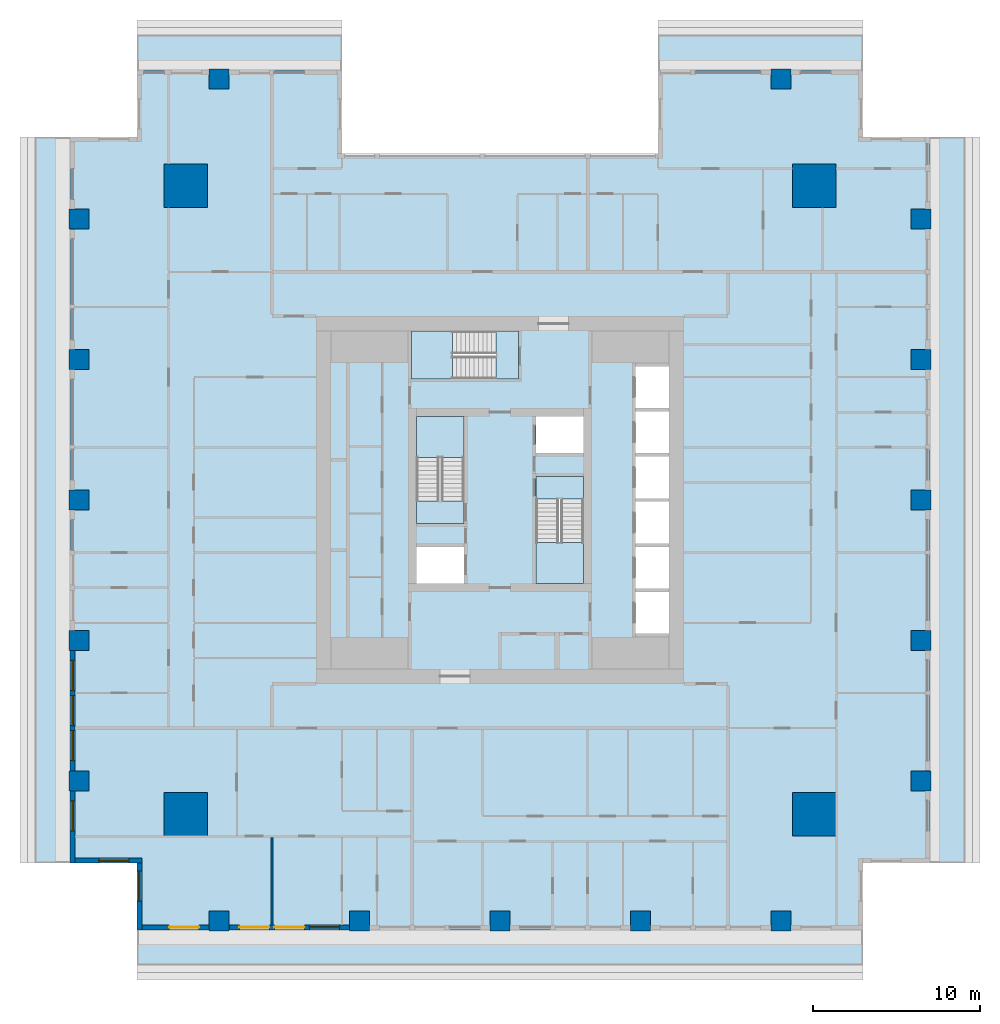
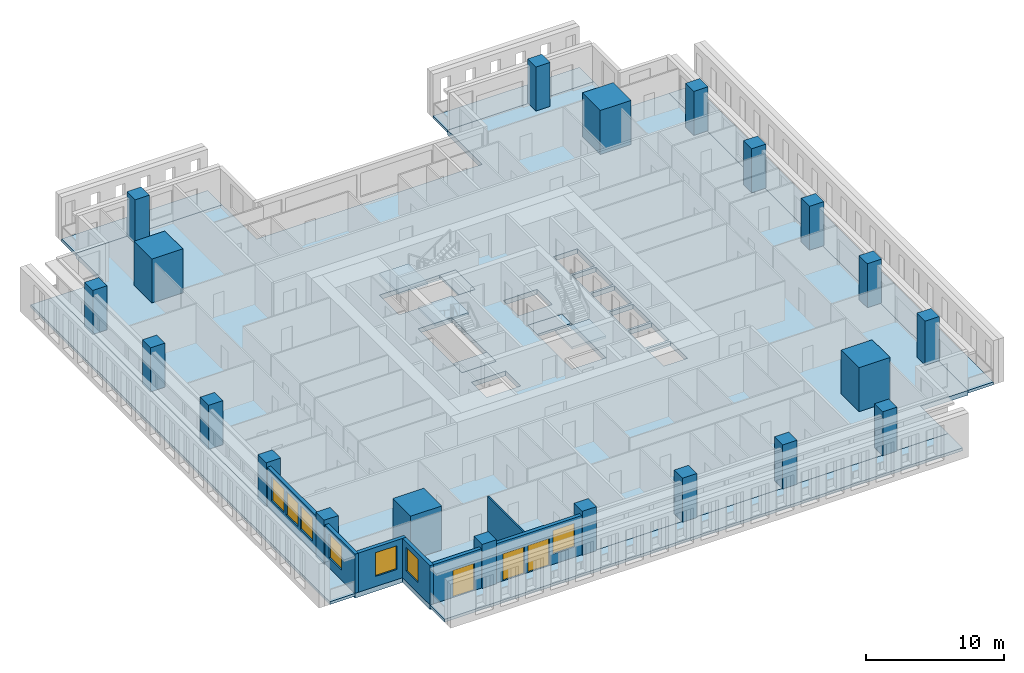
# One storey, part 1 of 15: 21 columns, 12 slabs, 7 walls, 7 windows, 3 doors, 10 openings, 3 elements without a shape of their own.
"""IFC4 building model written with IfcOpenShell, lengths in metres."""

from ifc_helpers import new_model, si_unit, direction, frame, frame_2d, origin, origin_2d, place, context, subcontext, project, spatial, polyline, rectangle, outline, extrude, material, layer, layer_set, material_profile, profile_set, type_object, element, fill, aggregate, save


model = new_model("IFC4")

# Units and contexts
model_context = context("Model", 3, precision=1e-05, world=origin(), true_north=direction((0.0, 1.0)))
body_context = subcontext(model_context, "Body", "Model", "MODEL_VIEW")
ifc_project = project(units=[si_unit("LENGTHUNIT", "METRE"), si_unit("AREAUNIT", "SQUARE_METRE"), si_unit("VOLUMEUNIT", "CUBIC_METRE"), si_unit("PLANEANGLEUNIT", "RADIAN"), si_unit("MASSUNIT", "GRAM", prefix="KILO")], contexts=[model_context])

# Site, building, storey
site_placement = place(None, origin())
site = spatial("IfcSite", under=ifc_project, at=site_placement, CompositionType="ELEMENT")
building_placement = place(site_placement, origin())
building = spatial("IfcBuilding", under=site, at=building_placement, Name="Khepri Terraces", CompositionType="ELEMENT")
storey_placement = place(building_placement, frame((0.0, 0.0, 161.10009765625)))
storey = spatial("IfcBuildingStorey", under=building, at=storey_placement, Name="L38", CompositionType="ELEMENT", Elevation=161.10009765625)

# Columns
ifc_material_1 = material(Name="Concrete C60/75", Category="concrete")
ifc_material_profile_1 = material_profile(ifc_material_1, rectangle(XDim=2.60009765625, YDim=2.60009765625, at=origin_2d()), Name="Concrete C60/75", Category="concrete")
ifc_profile_set_1 = profile_set([ifc_material_profile_1], Name="Concrete C60/75")
column_type_1 = type_object("IfcColumnType", Name="Mega column RC 2600x2600 C60/75", PredefinedType="COLUMN", material=ifc_profile_set_1)
for number, where, z_axis, x_axis, name in (
    (1, (18.800048828125, 18.800048828125, 0.0), (0.0, 0.0, 1.0), (1.0, 0.0, 0.0), "Mega column MEN L38"),
    (2, (18.800048828125, -18.800048828125, 0.0), (0.0, 0.0, 1.0), (1.0, 0.0, 0.0), "Mega column MES L38"),
    (3, (-18.800048828125, 18.800048828125, 0.0), (0.0, 0.0, 1.0), (1.0, 0.0, 0.0), "Mega column MWN L38"),
    (4, (-18.800048828125, -18.800048828125, 0.0), (0.0, 0.0, 1.0), (1.0, 0.0, 0.0), "Mega column MWS L38"),
):
    element("IfcColumn", number, at=place(storey_placement, frame(where, z_axis=z_axis, x_axis=x_axis)), inside=storey, type_object=column_type_1, Name=name, PredefinedType="COLUMN", context=body_context, shape_type="SweptSolid", body=[
        extrude(rectangle(XDim=2.60009765625, YDim=2.60009765625, at=origin_2d()), origin(), (0.0, 0.0, 1.0), 3.89990234375),
    ])
ifc_material_profile_2 = material_profile(ifc_material_1, rectangle(XDim=1.199951171875, YDim=1.199951171875, at=origin_2d()), Name="Concrete C60/75", Category="concrete")
ifc_profile_set_2 = profile_set([ifc_material_profile_2], Name="Concrete C60/75")
column_type_2 = type_object("IfcColumnType", Name="Tower column RC 1200x1200 C60/75", PredefinedType="COLUMN", material=ifc_profile_set_2)
for number, where, z_axis, x_axis, name in (
    (5, (25.199951171875, 0.0, 0.0), (0.0, 0.0, 1.0), (1.0, 0.0, 0.0), "Perimeter column PE+000a L38"),
    (6, (25.199951171875, 8.39990234375, 0.0), (0.0, 0.0, 1.0), (1.0, 0.0, 0.0), "Perimeter column PE+084a L38"),
    (7, (25.199951171875, 16.800048828125, 0.0), (0.0, 0.0, 1.0), (1.0, 0.0, 0.0), "Perimeter column PE+168a L38"),
    (8, (25.199951171875, -8.39990234375, 0.0), (0.0, 0.0, 1.0), (1.0, 0.0, 0.0), "Perimeter column PE-084a L38"),
    (9, (25.199951171875, -16.800048828125, 0.0), (0.0, 0.0, 1.0), (1.0, 0.0, 0.0), "Perimeter column PE-168a L38"),
    (10, (-16.800048828125, 25.199951171875, 0.0), (0.0, 0.0, 1.0), (1.0, 0.0, 0.0), "Perimeter column PN+168a L38"),
    (11, (16.800048828125, 25.199951171875, 0.0), (0.0, 0.0, 1.0), (1.0, 0.0, 0.0), "Perimeter column PN-168a L38"),
    (12, (0.0, -25.199951171875, 0.0), (0.0, 0.0, 1.0), (1.0, 0.0, 0.0), "Perimeter column PS+000b L38"),
    (13, (8.39990234375, -25.199951171875, 0.0), (0.0, 0.0, 1.0), (1.0, 0.0, 0.0), "Perimeter column PS+084b L38"),
    (14, (16.800048828125, -25.199951171875, 0.0), (0.0, 0.0, 1.0), (1.0, 0.0, 0.0), "Perimeter column PS+168a L38"),
    (15, (-8.39990234375, -25.199951171875, 0.0), (0.0, 0.0, 1.0), (1.0, 0.0, 0.0), "Perimeter column PS-084b L38"),
    (16, (-16.800048828125, -25.199951171875, 0.0), (0.0, 0.0, 1.0), (1.0, 0.0, 0.0), "Perimeter column PS-168a L38"),
    (17, (-25.199951171875, 0.0, 0.0), (0.0, 0.0, 1.0), (1.0, 0.0, 0.0), "Perimeter column PW+000b L38"),
    (18, (-25.199951171875, -8.39990234375, 0.0), (0.0, 0.0, 1.0), (1.0, 0.0, 0.0), "Perimeter column PW+084b L38"),
    (19, (-25.199951171875, -16.800048828125, 0.0), (0.0, 0.0, 1.0), (1.0, 0.0, 0.0), "Perimeter column PW+168a L38"),
    (20, (-25.199951171875, 8.39990234375, 0.0), (0.0, 0.0, 1.0), (1.0, 0.0, 0.0), "Perimeter column PW-084b L38"),
    (21, (-25.199951171875, 16.800048828125, 0.0), (0.0, 0.0, 1.0), (1.0, 0.0, 0.0), "Perimeter column PW-168a L38"),
):
    element("IfcColumn", number, at=place(storey_placement, frame(where, z_axis=z_axis, x_axis=x_axis)), inside=storey, type_object=column_type_2, Name=name, PredefinedType="COLUMN", context=body_context, shape_type="SweptSolid", body=[
        extrude(rectangle(XDim=1.199951171875, YDim=1.199951171875, at=origin_2d()), origin(), (0.0, 0.0, 1.0), 3.89990234375),
    ])

# Slabs
ifc_material_2 = material(Name="Concrete C40/50", Category="concrete")
ifc_layer_1 = layer(ifc_material_2, 0.419921875, Name="Concrete C40/50", Category="concrete")
ifc_layer_set_1 = layer_set([ifc_layer_1], Name="Concrete C40/50")
slab_type_1 = type_object("IfcSlabType", Name="Flat plate 420", PredefinedType="FLOOR", material=ifc_layer_set_1)
slab_1_placement = place(storey_placement, frame((0.0, 0.0, -0.420166015625)))
element("IfcSlab", 22, at=slab_1_placement, inside=storey, type_object=slab_type_1, Name="Floor slab F01 L38", PredefinedType="FLOOR", context=body_context, shape_type="SweptSolid", body=[
    extrude(outline(polyline([(9.449951171875, 25.719970703125), (21.719970703125, 25.719970703125), (21.719970703125, 21.719970703125), (25.719970703125, 21.719970703125), (25.719970703125, -21.719970703125), (21.719970703125, -21.719970703125), (21.719970703125, -25.719970703125), (-21.719970703125, -25.719970703125), (-21.719970703125, -21.719970703125), (-25.719970703125, -21.719970703125), (-25.719970703125, 21.719970703125), (-21.719970703125, 21.719970703125), (-21.719970703125, 25.719970703125), (-9.449951171875, 25.719970703125), (-9.449951171875, 20.719970703125), (9.449951171875, 20.719970703125), (9.449951171875, 25.719970703125)]), holes=[polyline([(2.14990234375, 2.800048828125), (5.0, 2.800048828125), (5.0, 5.0), (2.14990234375, 5.0), (2.14990234375, 2.800048828125)]), polyline([(-5.0, -2.800048828125), (-5.0, -5.0), (-2.14990234375, -5.0), (-2.14990234375, -2.800048828125), (-5.0, -2.800048828125)]), polyline([(10.10009765625, -5.5), (8.10009765625, -5.5), (8.10009765625, -8.0), (10.10009765625, -8.0), (10.10009765625, -5.5)]), polyline([(10.10009765625, -5.300048828125), (10.10009765625, -2.800048828125), (8.10009765625, -2.800048828125), (8.10009765625, -5.300048828125), (10.10009765625, -5.300048828125)]), polyline([(8.10009765625, -2.60009765625), (10.10009765625, -2.60009765625), (10.10009765625, -0.10009765625), (8.10009765625, -0.10009765625), (8.10009765625, -2.60009765625)]), polyline([(8.10009765625, 2.60009765625), (8.10009765625, 0.10009765625), (10.10009765625, 0.10009765625), (10.10009765625, 2.60009765625), (8.10009765625, 2.60009765625)]), polyline([(10.10009765625, 5.300048828125), (8.10009765625, 5.300048828125), (8.10009765625, 2.800048828125), (10.10009765625, 2.800048828125), (10.10009765625, 5.300048828125)]), polyline([(10.10009765625, 5.5), (10.10009765625, 8.0), (8.10009765625, 8.0), (8.10009765625, 5.5), (10.10009765625, 5.5)]), polyline([(-5.0, -1.39990234375), (-2.14990234375, -1.39990234375), (-2.14990234375, 5.0), (-5.0, 5.0), (-5.0, -1.39990234375)]), polyline([(5.0, -5.0), (5.0, 1.39990234375), (2.14990234375, 1.39990234375), (2.14990234375, -5.0), (5.0, -5.0)]), polyline([(-5.300048828125, 10.10009765625), (-5.300048828125, 7.25), (1.10009765625, 7.25), (1.10009765625, 10.10009765625), (-5.300048828125, 10.10009765625)])]), origin(), (0.0, 0.0, 1.0), 0.420166015625),
])
ifc_material_3 = material(Name="Precast concrete C50/60 warm stone", Category="masonry")
ifc_layer_2 = layer(ifc_material_3, 0.25, Name="Precast concrete C50/60 warm stone", Category="masonry")
ifc_layer_set_2 = layer_set([ifc_layer_2], Name="Precast concrete C50/60 warm stone")
slab_type_2 = type_object("IfcSlabType", Name="SLB-BALCONY-250", PredefinedType="FLOOR", material=ifc_layer_set_2)
slab_2_placement = place(storey_placement, frame((0.0, 0.0, -0.25)))
element("IfcSlab", 23, at=slab_2_placement, inside=storey, type_object=slab_type_2, Name="Balcony slab L38 S", PredefinedType="FLOOR", context=body_context, shape_type="SweptSolid", body=[
    extrude(outline(polyline([(-17.39990234375, -25.719970703125), (-21.719970703125, -25.719970703125), (-21.719970703125, -27.820068359375), (21.719970703125, -27.820068359375), (21.719970703125, -25.719970703125), (17.39990234375, -25.719970703125), (17.39990234375, -25.800048828125), (16.199951171875, -25.800048828125), (16.199951171875, -25.719970703125), (9.0, -25.719970703125), (9.0, -25.800048828125), (7.800048828125, -25.800048828125), (7.800048828125, -25.719970703125), (0.60009765625, -25.719970703125), (0.60009765625, -25.800048828125), (-0.60009765625, -25.800048828125), (-0.60009765625, -25.719970703125), (-7.800048828125, -25.719970703125), (-7.800048828125, -25.800048828125), (-9.0, -25.800048828125), (-9.0, -25.719970703125), (-16.199951171875, -25.719970703125), (-16.199951171875, -25.800048828125), (-17.39990234375, -25.800048828125), (-17.39990234375, -25.719970703125)])), origin(), (0.0, 0.0, 1.0), 0.25),
])
slab_3_placement = place(storey_placement, frame((0.0, 0.0, -0.25)))
element("IfcSlab", 24, at=slab_3_placement, inside=storey, type_object=slab_type_2, Name="Balcony slab L38 E", PredefinedType="FLOOR", context=body_context, shape_type="SweptSolid", body=[
    extrude(outline(polyline([(25.719970703125, -17.39990234375), (25.719970703125, -21.719970703125), (27.820068359375, -21.719970703125), (27.820068359375, 21.719970703125), (25.719970703125, 21.719970703125), (25.719970703125, 17.39990234375), (25.800048828125, 17.39990234375), (25.800048828125, 16.199951171875), (25.719970703125, 16.199951171875), (25.719970703125, 9.0), (25.800048828125, 9.0), (25.800048828125, 7.800048828125), (25.719970703125, 7.800048828125), (25.719970703125, 0.60009765625), (25.800048828125, 0.60009765625), (25.800048828125, -0.60009765625), (25.719970703125, -0.60009765625), (25.719970703125, -7.800048828125), (25.800048828125, -7.800048828125), (25.800048828125, -9.0), (25.719970703125, -9.0), (25.719970703125, -16.199951171875), (25.800048828125, -16.199951171875), (25.800048828125, -17.39990234375), (25.719970703125, -17.39990234375)])), origin(), (0.0, 0.0, 1.0), 0.25),
])
slab_4_placement = place(storey_placement, frame((0.0, 0.0, -0.25)))
element("IfcSlab", 25, at=slab_4_placement, inside=storey, type_object=slab_type_2, Name="Balcony slab L38 N", PredefinedType="FLOOR", context=body_context, shape_type="SweptSolid", body=[
    extrude(outline(polyline([(17.39990234375, 25.719970703125), (21.719970703125, 25.719970703125), (21.719970703125, 27.820068359375), (9.449951171875, 27.820068359375), (9.449951171875, 25.719970703125), (16.199951171875, 25.719970703125), (16.199951171875, 25.800048828125), (17.39990234375, 25.800048828125), (17.39990234375, 25.719970703125)])), origin(), (0.0, 0.0, 1.0), 0.25),
])
slab_5_placement = place(storey_placement, frame((0.0, 0.0, -0.25)))
element("IfcSlab", 26, at=slab_5_placement, inside=storey, type_object=slab_type_2, Name="Balcony slab L38 N", PredefinedType="FLOOR", context=body_context, shape_type="SweptSolid", body=[
    extrude(outline(polyline([(-16.199951171875, 25.719970703125), (-9.449951171875, 25.719970703125), (-9.449951171875, 27.820068359375), (-21.719970703125, 27.820068359375), (-21.719970703125, 25.719970703125), (-17.39990234375, 25.719970703125), (-17.39990234375, 25.800048828125), (-16.199951171875, 25.800048828125), (-16.199951171875, 25.719970703125)])), origin(), (0.0, 0.0, 1.0), 0.25),
])
slab_6_placement = place(storey_placement, frame((0.0, 0.0, -0.25)))
element("IfcSlab", 27, at=slab_6_placement, inside=storey, type_object=slab_type_2, Name="Balcony slab L38 W", PredefinedType="FLOOR", context=body_context, shape_type="SweptSolid", body=[
    extrude(outline(polyline([(-25.719970703125, 17.39990234375), (-25.719970703125, 21.719970703125), (-27.820068359375, 21.719970703125), (-27.820068359375, -21.719970703125), (-25.719970703125, -21.719970703125), (-25.719970703125, -17.39990234375), (-25.800048828125, -17.39990234375), (-25.800048828125, -16.199951171875), (-25.719970703125, -16.199951171875), (-25.719970703125, -9.0), (-25.800048828125, -9.0), (-25.800048828125, -7.800048828125), (-25.719970703125, -7.800048828125), (-25.719970703125, -0.60009765625), (-25.800048828125, -0.60009765625), (-25.800048828125, 0.60009765625), (-25.719970703125, 0.60009765625), (-25.719970703125, 7.800048828125), (-25.800048828125, 7.800048828125), (-25.800048828125, 9.0), (-25.719970703125, 9.0), (-25.719970703125, 16.199951171875), (-25.800048828125, 16.199951171875), (-25.800048828125, 17.39990234375), (-25.719970703125, 17.39990234375)])), origin(), (0.0, 0.0, 1.0), 0.25),
])

# Stair, slabs
stair_type = type_object("IfcStairType", Name="STAIR-RC-22R", PredefinedType="HALF_TURN_STAIR", material=ifc_material_2)
stair_1_placement = place(storey_placement, origin())
stair_1 = element("IfcStair", 28, at=stair_1_placement, inside=storey, type_object=stair_type, Name="L38 Exit Stair ST-1", PredefinedType="HALF_TURN_STAIR")
ifc_layer_3 = layer(ifc_material_2, 0.199951171875, Name="Concrete C40/50", Category="concrete")
ifc_layer_set_3 = layer_set([ifc_layer_3], Name="Concrete C40/50")
slab_type_3 = type_object("IfcSlabType", Name="SLB-CORE-LANDING", PredefinedType="LANDING", material=ifc_layer_set_3)
slab_7_placement = place(storey_placement, frame((0.0, 0.0, -0.2001953125)))
slab_7 = element("IfcSlab", 29, at=slab_7_placement, type_object=slab_type_3, Name="ST-1 landing 1", PredefinedType="LANDING", context=body_context, shape_type="SweptSolid", body=[
    extrude(outline(polyline([(-2.14990234375, -1.39990234375), (-2.14990234375, -0.050048828125), (-5.0, -0.050048828125), (-5.0, -1.39990234375), (-2.14990234375, -1.39990234375)])), origin(), (0.0, 0.0, 1.0), 0.2001953125),
])
slab_8_placement = place(storey_placement, frame((0.0, 0.0, 1.75)))
slab_8 = element("IfcSlab", 30, at=slab_8_placement, type_object=slab_type_3, Name="ST-1 landing 2", PredefinedType="LANDING", context=body_context, shape_type="SweptSolid", body=[
    extrude(outline(polyline([(-2.14990234375, 2.550048828125), (-2.14990234375, 5.0), (-5.0, 5.0), (-5.0, 2.550048828125), (-2.14990234375, 2.550048828125)])), origin(), (0.0, 0.0, 1.0), 0.199951171875),
])
aggregate(stair_1, [slab_7, slab_8])

stair_2_placement = place(storey_placement, origin())
stair_2 = element("IfcStair", 31, at=stair_2_placement, inside=storey, type_object=stair_type, Name="L38 Exit Stair ST-2", PredefinedType="HALF_TURN_STAIR")
slab_9_placement = place(storey_placement, frame((0.0, 0.0, -0.2001953125)))
slab_9 = element("IfcSlab", 32, at=slab_9_placement, type_object=slab_type_3, Name="ST-2 landing 1", PredefinedType="LANDING", context=body_context, shape_type="SweptSolid", body=[
    extrude(outline(polyline([(2.14990234375, 1.39990234375), (2.14990234375, 0.050048828125), (5.0, 0.050048828125), (5.0, 1.39990234375), (2.14990234375, 1.39990234375)])), origin(), (0.0, 0.0, 1.0), 0.2001953125),
])
slab_10_placement = place(storey_placement, frame((0.0, 0.0, 1.75)))
slab_10 = element("IfcSlab", 33, at=slab_10_placement, type_object=slab_type_3, Name="ST-2 landing 2", PredefinedType="LANDING", context=body_context, shape_type="SweptSolid", body=[
    extrude(outline(polyline([(2.14990234375, -2.550048828125), (2.14990234375, -5.0), (5.0, -5.0), (5.0, -2.550048828125), (2.14990234375, -2.550048828125)])), origin(), (0.0, 0.0, 1.0), 0.199951171875),
])
aggregate(stair_2, [slab_9, slab_10])

stair_3_placement = place(storey_placement, origin())
stair_3 = element("IfcStair", 34, at=stair_3_placement, inside=storey, type_object=stair_type, Name="L38 Exit Stair ST-3", PredefinedType="HALF_TURN_STAIR")
slab_11_placement = place(storey_placement, frame((0.0, 0.0, -0.2001953125)))
slab_11 = element("IfcSlab", 35, at=slab_11_placement, type_object=slab_type_3, Name="ST-3 landing 1", PredefinedType="LANDING", context=body_context, shape_type="SweptSolid", body=[
    extrude(outline(polyline([(1.10009765625, 10.10009765625), (-0.25, 10.10009765625), (-0.25, 7.25), (1.10009765625, 7.25), (1.10009765625, 10.10009765625)])), origin(), (0.0, 0.0, 1.0), 0.2001953125),
])
slab_12_placement = place(storey_placement, frame((0.0, 0.0, 1.75)))
slab_12 = element("IfcSlab", 36, at=slab_12_placement, type_object=slab_type_3, Name="ST-3 landing 2", PredefinedType="LANDING", context=body_context, shape_type="SweptSolid", body=[
    extrude(outline(polyline([(-2.85009765625, 10.10009765625), (-5.300048828125, 10.10009765625), (-5.300048828125, 7.25), (-2.85009765625, 7.25), (-2.85009765625, 10.10009765625)])), origin(), (0.0, 0.0, 1.0), 0.199951171875),
])
aggregate(stair_3, [slab_11, slab_12])

# Wall, openings, windows
ifc_layer_4 = layer(ifc_material_3, 0.300048828125, Name="Precast concrete C50/60 warm stone", Category="masonry")
ifc_layer_set_4 = layer_set([ifc_layer_4], Name="Precast concrete C50/60 warm stone")
wall_type_1 = type_object("IfcWallType", Name="WL-EXT-PRECAST-300", PredefinedType="STANDARD", material=ifc_layer_set_4)
wall_1_placement = place(storey_placement, frame((-25.570068359375, -9.0, 0.0), z_axis=(0.0, 0.0, 1.0), x_axis=(0.0, -1.0, 0.0)))
wall_1 = element("IfcWall", 37, at=wall_1_placement, inside=storey, type_object=wall_type_1, Name="External wall L38 W", PredefinedType="STANDARD", context=body_context, shape_type="SweptSolid", body=[
    extrude(rectangle(XDim=7.199951171875, YDim=0.300048828125, at=frame_2d((3.60009765625, 0.0))), origin(), (0.0, 0.0, 1.0), 3.47998046875),
])
opening_1_placement = place(wall_1_placement, frame((0.60009765625, 0.0, 0.89990234375)))
opening_1 = element("IfcOpeningElement", 38, at=opening_1_placement, cuts=wall_1, Name="Opening W1", PredefinedType="OPENING", context=body_context, shape_type="SweptSolid", body=[
    extrude(rectangle(XDim=1.800048828125, YDim=2.10009765625, at=frame_2d((0.89990234375, 1.050048828125))), frame((0.0, 0.16015625, 0.0), z_axis=(0.0, -1.0, 0.0), x_axis=(1.0, 0.0, 0.0)), (0.0, 0.0, 1.0), 0.320068359375),
])
opening_2_placement = place(wall_1_placement, frame((2.699951171875, 0.0, 0.89990234375)))
opening_2 = element("IfcOpeningElement", 39, at=opening_2_placement, cuts=wall_1, Name="Opening W1", PredefinedType="OPENING", context=body_context, shape_type="SweptSolid", body=[
    extrude(rectangle(XDim=1.800048828125, YDim=2.10009765625, at=frame_2d((0.89990234375, 1.050048828125))), frame((0.0, 0.16015625, 0.0), z_axis=(0.0, -1.0, 0.0), x_axis=(1.0, 0.0, 0.0)), (0.0, 0.0, 1.0), 0.320068359375),
])
opening_3_placement = place(wall_1_placement, frame((4.800048828125, 0.0, 0.89990234375)))
opening_3 = element("IfcOpeningElement", 40, at=opening_3_placement, cuts=wall_1, Name="Opening W1", PredefinedType="OPENING", context=body_context, shape_type="SweptSolid", body=[
    extrude(rectangle(XDim=1.800048828125, YDim=2.10009765625, at=frame_2d((0.89990234375, 1.050048828125))), frame((0.0, 0.16015625, 0.0), z_axis=(0.0, -1.0, 0.0), x_axis=(1.0, 0.0, 0.0)), (0.0, 0.0, 1.0), 0.320068359375),
])
ifc_material_4 = material(Name="Clear glass", Category="glass")
window_type = type_object("IfcWindowType", Name="WIN-RES-1800x2100", PartitioningType="SINGLE_PANEL", PredefinedType="WINDOW", material=ifc_material_4)
window_1_placement = place(opening_1_placement, origin())
window_1 = element("IfcWindow", 41, at=window_1_placement, inside=storey, type_object=window_type, Name="Window L38 W", OverallHeight=2.10009765625, OverallWidth=1.800048828125, PartitioningType="SINGLE_PANEL", PredefinedType="WINDOW", context=body_context, shape_type="SweptSolid", body=[
    extrude(rectangle(XDim=1.800048828125, YDim=2.10009765625, at=frame_2d((0.89990234375, 1.050048828125))), frame((0.0, 0.030029296875, 0.0), z_axis=(0.0, -1.0, 0.0), x_axis=(1.0, 0.0, 0.0)), (0.0, 0.0, 1.0), 0.06005859375),
])
fill(opening_1, window_1)
window_2_placement = place(opening_2_placement, origin())
window_2 = element("IfcWindow", 42, at=window_2_placement, inside=storey, type_object=window_type, Name="Window L38 W", OverallHeight=2.10009765625, OverallWidth=1.800048828125, PartitioningType="SINGLE_PANEL", PredefinedType="WINDOW", context=body_context, shape_type="SweptSolid", body=[
    extrude(rectangle(XDim=1.800048828125, YDim=2.10009765625, at=frame_2d((0.89990234375, 1.050048828125))), frame((0.0, 0.030029296875, 0.0), z_axis=(0.0, -1.0, 0.0), x_axis=(1.0, 0.0, 0.0)), (0.0, 0.0, 1.0), 0.06005859375),
])
fill(opening_2, window_2)
window_3_placement = place(opening_3_placement, origin())
window_3 = element("IfcWindow", 43, at=window_3_placement, inside=storey, type_object=window_type, Name="Window L38 W", OverallHeight=2.10009765625, OverallWidth=1.800048828125, PartitioningType="SINGLE_PANEL", PredefinedType="WINDOW", context=body_context, shape_type="SweptSolid", body=[
    extrude(rectangle(XDim=1.800048828125, YDim=2.10009765625, at=frame_2d((0.89990234375, 1.050048828125))), frame((0.0, 0.030029296875, 0.0), z_axis=(0.0, -1.0, 0.0), x_axis=(1.0, 0.0, 0.0)), (0.0, 0.0, 1.0), 0.06005859375),
])
fill(opening_3, window_3)

# Wall, opening, window
wall_2_placement = place(storey_placement, frame((-25.570068359375, -17.39990234375, 0.0), z_axis=(0.0, 0.0, 1.0), x_axis=(0.0, -1.0, 0.0)))
wall_2 = element("IfcWall", 44, at=wall_2_placement, inside=storey, type_object=wall_type_1, Name="External wall L38 W", PredefinedType="STANDARD", context=body_context, shape_type="SweptSolid", body=[
    extrude(rectangle(XDim=4.320068359375, YDim=0.300048828125, at=frame_2d((2.16015625, 0.0))), origin(), (0.0, 0.0, 1.0), 3.47998046875),
])
opening_4_placement = place(wall_2_placement, frame((0.60009765625, 0.0, 0.89990234375)))
opening_4 = element("IfcOpeningElement", 45, at=opening_4_placement, cuts=wall_2, Name="Opening W1", PredefinedType="OPENING", context=body_context, shape_type="SweptSolid", body=[
    extrude(rectangle(XDim=1.800048828125, YDim=2.10009765625, at=frame_2d((0.89990234375, 1.050048828125))), frame((0.0, 0.16015625, 0.0), z_axis=(0.0, -1.0, 0.0), x_axis=(1.0, 0.0, 0.0)), (0.0, 0.0, 1.0), 0.320068359375),
])
window_4_placement = place(opening_4_placement, origin())
window_4 = element("IfcWindow", 46, at=window_4_placement, inside=storey, type_object=window_type, Name="Window L38 W", OverallHeight=2.10009765625, OverallWidth=1.800048828125, PartitioningType="SINGLE_PANEL", PredefinedType="WINDOW", context=body_context, shape_type="SweptSolid", body=[
    extrude(rectangle(XDim=1.800048828125, YDim=2.10009765625, at=frame_2d((0.89990234375, 1.050048828125))), frame((0.0, 0.030029296875, 0.0), z_axis=(0.0, -1.0, 0.0), x_axis=(1.0, 0.0, 0.0)), (0.0, 0.0, 1.0), 0.06005859375),
])
fill(opening_4, window_4)

wall_3_placement = place(storey_placement, frame((-25.419921875, -21.570068359375, 0.0), z_axis=(0.0, 0.0, 1.0), x_axis=(1.0, 0.0, 0.0)))
wall_3 = element("IfcWall", 47, at=wall_3_placement, inside=storey, type_object=wall_type_1, Name="External wall L38 S", PredefinedType="STANDARD", context=body_context, shape_type="SweptSolid", body=[
    extrude(rectangle(XDim=4.0, YDim=0.300048828125, at=frame_2d((2.0, 0.0))), origin(), (0.0, 0.0, 1.0), 3.47998046875),
])
opening_5_placement = place(wall_3_placement, frame((1.419921875, 0.0, 0.89990234375)))
opening_5 = element("IfcOpeningElement", 48, at=opening_5_placement, cuts=wall_3, Name="Opening W1", PredefinedType="OPENING", context=body_context, shape_type="SweptSolid", body=[
    extrude(rectangle(XDim=1.800048828125, YDim=2.10009765625, at=frame_2d((0.89990234375, 1.050048828125))), frame((0.0, 0.16015625, 0.0), z_axis=(0.0, -1.0, 0.0), x_axis=(1.0, 0.0, 0.0)), (0.0, 0.0, 1.0), 0.320068359375),
])
window_5_placement = place(opening_5_placement, origin())
window_5 = element("IfcWindow", 49, at=window_5_placement, inside=storey, type_object=window_type, Name="Window L38 S", OverallHeight=2.10009765625, OverallWidth=1.800048828125, PartitioningType="SINGLE_PANEL", PredefinedType="WINDOW", context=body_context, shape_type="SweptSolid", body=[
    extrude(rectangle(XDim=1.800048828125, YDim=2.10009765625, at=frame_2d((0.89990234375, 1.050048828125))), frame((0.0, 0.030029296875, 0.0), z_axis=(0.0, -1.0, 0.0), x_axis=(1.0, 0.0, 0.0)), (0.0, 0.0, 1.0), 0.06005859375),
])
fill(opening_5, window_5)

wall_4_placement = place(storey_placement, frame((-21.570068359375, -21.719970703125, 0.0), z_axis=(0.0, 0.0, 1.0), x_axis=(0.0, -1.0, 0.0)))
wall_4 = element("IfcWall", 50, at=wall_4_placement, inside=storey, type_object=wall_type_1, Name="External wall L38 W", PredefinedType="STANDARD", context=body_context, shape_type="SweptSolid", body=[
    extrude(rectangle(XDim=4.0, YDim=0.300048828125, at=frame_2d((2.0, 0.0))), origin(), (0.0, 0.0, 1.0), 3.47998046875),
])
opening_6_placement = place(wall_4_placement, frame((0.47998046875, 0.0, 0.89990234375)))
opening_6 = element("IfcOpeningElement", 51, at=opening_6_placement, cuts=wall_4, Name="Opening W1", PredefinedType="OPENING", context=body_context, shape_type="SweptSolid", body=[
    extrude(rectangle(XDim=1.800048828125, YDim=2.10009765625, at=frame_2d((0.89990234375, 1.050048828125))), frame((0.0, 0.16015625, 0.0), z_axis=(0.0, -1.0, 0.0), x_axis=(1.0, 0.0, 0.0)), (0.0, 0.0, 1.0), 0.320068359375),
])
window_6_placement = place(opening_6_placement, origin())
window_6 = element("IfcWindow", 52, at=window_6_placement, inside=storey, type_object=window_type, Name="Window L38 W", OverallHeight=2.10009765625, OverallWidth=1.800048828125, PartitioningType="SINGLE_PANEL", PredefinedType="WINDOW", context=body_context, shape_type="SweptSolid", body=[
    extrude(rectangle(XDim=1.800048828125, YDim=2.10009765625, at=frame_2d((0.89990234375, 1.050048828125))), frame((0.0, 0.030029296875, 0.0), z_axis=(0.0, -1.0, 0.0), x_axis=(1.0, 0.0, 0.0)), (0.0, 0.0, 1.0), 0.06005859375),
])
fill(opening_6, window_6)

# Wall, opening, door
wall_5_placement = place(storey_placement, frame((-21.419921875, -25.570068359375, 0.0), z_axis=(0.0, 0.0, 1.0), x_axis=(1.0, 0.0, 0.0)))
wall_5 = element("IfcWall", 53, at=wall_5_placement, inside=storey, type_object=wall_type_1, Name="External wall L38 S", PredefinedType="STANDARD", context=body_context, shape_type="SweptSolid", body=[
    extrude(rectangle(XDim=4.02001953125, YDim=0.300048828125, at=frame_2d((2.010009765625, 0.0))), origin(), (0.0, 0.0, 1.0), 3.47998046875),
])
opening_7_placement = place(wall_5_placement, frame((1.6201171875, 0.0, 0.0)))
opening_7 = element("IfcOpeningElement", 54, at=opening_7_placement, cuts=wall_5, Name="Opening ED-L38-18", PredefinedType="OPENING", context=body_context, shape_type="SweptSolid", body=[
    extrude(rectangle(XDim=1.800048828125, YDim=2.39990234375, at=frame_2d((0.89990234375, 1.199951171875))), frame((0.0, 0.16015625, 0.0), z_axis=(0.0, -1.0, 0.0), x_axis=(1.0, 0.0, 0.0)), (0.0, 0.0, 1.0), 0.320068359375),
])
ifc_material_5 = material(Name="Anodised aluminium bronze glazed door", Category="aluminium")
door_type = type_object("IfcDoorType", Name="DR-BAL-SLIDE-1800x2400", OperationType="NOTDEFINED", PredefinedType="DOOR", material=ifc_material_5)
door_1_placement = place(opening_7_placement, origin())
door_1 = element("IfcDoor", 55, at=door_1_placement, inside=storey, type_object=door_type, Name="Balcony door L38 S", OperationType="SLIDING_TO_RIGHT", OverallHeight=2.39990234375, OverallWidth=1.800048828125, PredefinedType="DOOR", context=body_context, shape_type="SweptSolid", body=[
    extrude(rectangle(XDim=1.800048828125, YDim=2.39990234375, at=frame_2d((0.89990234375, 1.199951171875))), frame((0.0, 0.02490234375, 0.0), z_axis=(0.0, -1.0, 0.0), x_axis=(1.0, 0.0, 0.0)), (0.0, 0.0, 1.0), 0.050048828125),
])
fill(opening_7, door_1)

# Wall, openings, doors, window
wall_6_placement = place(storey_placement, frame((-16.199951171875, -25.570068359375, 0.0), z_axis=(0.0, 0.0, 1.0), x_axis=(1.0, 0.0, 0.0)))
wall_6 = element("IfcWall", 56, at=wall_6_placement, inside=storey, type_object=wall_type_1, Name="External wall L38 S", PredefinedType="STANDARD", context=body_context, shape_type="SweptSolid", body=[
    extrude(rectangle(XDim=7.199951171875, YDim=0.300048828125, at=frame_2d((3.60009765625, 0.0))), origin(), (0.0, 0.0, 1.0), 3.47998046875),
])
opening_8_placement = place(wall_6_placement, frame((0.60009765625, 0.0, 0.0)))
opening_8 = element("IfcOpeningElement", 57, at=opening_8_placement, cuts=wall_6, Name="Opening ED-L38-19", PredefinedType="OPENING", context=body_context, shape_type="SweptSolid", body=[
    extrude(rectangle(XDim=1.800048828125, YDim=2.39990234375, at=frame_2d((0.89990234375, 1.199951171875))), frame((0.0, 0.16015625, 0.0), z_axis=(0.0, -1.0, 0.0), x_axis=(1.0, 0.0, 0.0)), (0.0, 0.0, 1.0), 0.320068359375),
])
opening_9_placement = place(wall_6_placement, frame((2.699951171875, 0.0, 0.0)))
opening_9 = element("IfcOpeningElement", 58, at=opening_9_placement, cuts=wall_6, Name="Opening ED-L38-20", PredefinedType="OPENING", context=body_context, shape_type="SweptSolid", body=[
    extrude(rectangle(XDim=1.800048828125, YDim=2.39990234375, at=frame_2d((0.89990234375, 1.199951171875))), frame((0.0, 0.16015625, 0.0), z_axis=(0.0, -1.0, 0.0), x_axis=(1.0, 0.0, 0.0)), (0.0, 0.0, 1.0), 0.320068359375),
])
opening_10_placement = place(wall_6_placement, frame((4.800048828125, 0.0, 0.89990234375)))
opening_10 = element("IfcOpeningElement", 59, at=opening_10_placement, cuts=wall_6, Name="Opening W1", PredefinedType="OPENING", context=body_context, shape_type="SweptSolid", body=[
    extrude(rectangle(XDim=1.800048828125, YDim=2.10009765625, at=frame_2d((0.89990234375, 1.050048828125))), frame((0.0, 0.16015625, 0.0), z_axis=(0.0, -1.0, 0.0), x_axis=(1.0, 0.0, 0.0)), (0.0, 0.0, 1.0), 0.320068359375),
])
door_2_placement = place(opening_8_placement, origin())
door_2 = element("IfcDoor", 60, at=door_2_placement, inside=storey, type_object=door_type, Name="Balcony door L38 S", OperationType="SLIDING_TO_LEFT", OverallHeight=2.39990234375, OverallWidth=1.800048828125, PredefinedType="DOOR", context=body_context, shape_type="SweptSolid", body=[
    extrude(rectangle(XDim=1.800048828125, YDim=2.39990234375, at=frame_2d((0.89990234375, 1.199951171875))), frame((0.0, 0.02490234375, 0.0), z_axis=(0.0, -1.0, 0.0), x_axis=(1.0, 0.0, 0.0)), (0.0, 0.0, 1.0), 0.050048828125),
])
fill(opening_8, door_2)
door_3_placement = place(opening_9_placement, origin())
door_3 = element("IfcDoor", 61, at=door_3_placement, inside=storey, type_object=door_type, Name="Balcony door L38 S", OperationType="SLIDING_TO_RIGHT", OverallHeight=2.39990234375, OverallWidth=1.800048828125, PredefinedType="DOOR", context=body_context, shape_type="SweptSolid", body=[
    extrude(rectangle(XDim=1.800048828125, YDim=2.39990234375, at=frame_2d((0.89990234375, 1.199951171875))), frame((0.0, 0.02490234375, 0.0), z_axis=(0.0, -1.0, 0.0), x_axis=(1.0, 0.0, 0.0)), (0.0, 0.0, 1.0), 0.050048828125),
])
fill(opening_9, door_3)
window_7_placement = place(opening_10_placement, origin())
window_7 = element("IfcWindow", 62, at=window_7_placement, inside=storey, type_object=window_type, Name="Window L38 S", OverallHeight=2.10009765625, OverallWidth=1.800048828125, PartitioningType="SINGLE_PANEL", PredefinedType="WINDOW", context=body_context, shape_type="SweptSolid", body=[
    extrude(rectangle(XDim=1.800048828125, YDim=2.10009765625, at=frame_2d((0.89990234375, 1.050048828125))), frame((0.0, 0.030029296875, 0.0), z_axis=(0.0, -1.0, 0.0), x_axis=(1.0, 0.0, 0.0)), (0.0, 0.0, 1.0), 0.06005859375),
])
fill(opening_10, window_7)

# Wall
ifc_material_6 = material(Name="Gypsum plasterboard partition")
ifc_layer_5 = layer(ifc_material_6, 0.1201171875, Name="Gypsum plasterboard partition")
ifc_layer_set_5 = layer_set([ifc_layer_5], Name="Gypsum plasterboard partition")
wall_type_2 = type_object("IfcWallType", Name="WL-PART-120", PredefinedType="PARTITIONING", material=ifc_layer_set_5)
wall_7_placement = place(storey_placement, frame((-13.64990234375, -25.419921875, 0.0), z_axis=(0.0, 0.0, 1.0), x_axis=(0.0, 1.0, 0.0)))
element("IfcWall", 63, at=wall_7_placement, inside=storey, type_object=wall_type_2, Name="Partition P-001 L38", PredefinedType="PARTITIONING", context=body_context, shape_type="SweptSolid", body=[
    extrude(rectangle(XDim=5.239990234375, YDim=0.1201171875, at=frame_2d((2.6201171875, 0.0))), origin(), (0.0, 0.0, 1.0), 3.47998046875),
])

save(model, "model.ifc")
